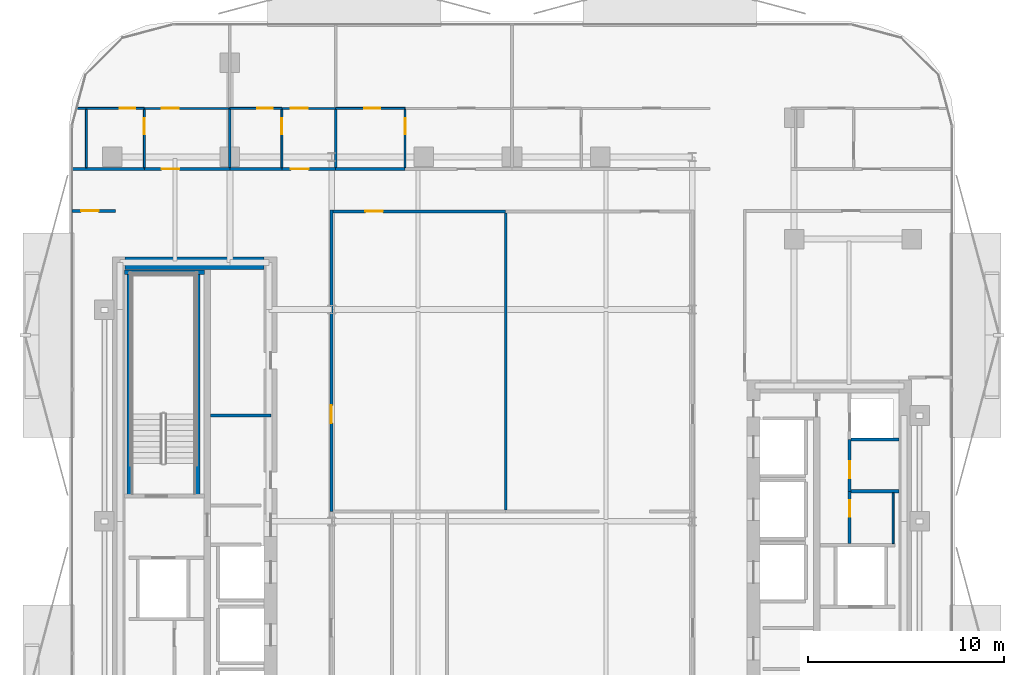
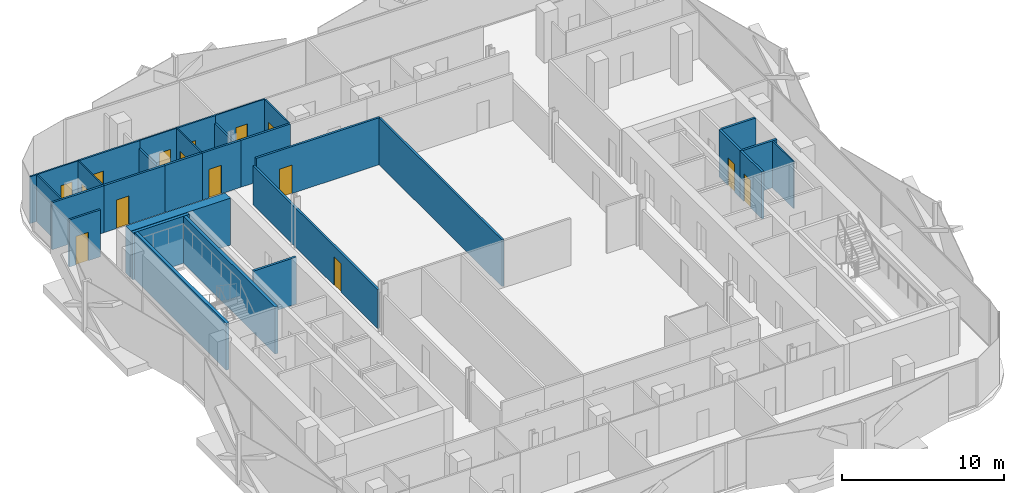
# One storey, part 6 of 17: 30 walls, 15 doors, 15 openings.
"""IFC4 building model written with IfcOpenShell, lengths in metres."""

import ifcopenshell
import ifcopenshell.guid

model = None  # the IFC model being written
_history = None  # IfcOwnerHistory: only IFC2X3 demands one
_inside = {}  # id of a spatial element -> (the spatial element, [elements in it])
_under = {}  # id of a project, library or spatial element -> (it, [spatial elements below it])
_declared = {}  # id of a project -> (the project, [libraries it declares])
_typed = {}  # id of a type object -> (the type object, [elements of that type])
_made_of = {}  # id of a material, layer set ... -> (it, [elements and type objects made of it])


def new_model(schema):
    """Start an empty IFC model of exactly this schema.

    Asked for "IFC4X3", IfcOpenShell would pick the latest addendum, in which some entities
    have other attributes; the version numbers below select the first issue.
    IFC2X3 requires an IfcOwnerHistory on every rooted entity: one is made here for all.
    """
    global model, _history
    if schema == "IFC4X3":
        model = ifcopenshell.file(schema_version=(4, 3, 0, 0))
    else:
        model = ifcopenshell.file(schema=schema)
    _inside.clear()
    _under.clear()
    _declared.clear()
    _typed.clear()
    _made_of.clear()
    _history = None
    if model.schema == "IFC2X3":
        org = make("IfcOrganization", Name="unknown")
        user = make(
            "IfcPersonAndOrganization",
            ThePerson=make("IfcPerson", FamilyName="unknown"),
            TheOrganization=org,
        )
        app = make(
            "IfcApplication",
            ApplicationDeveloper=org,
            Version="unknown",
            ApplicationFullName="unknown",
            ApplicationIdentifier="unknown",
        )
        _history = make(
            "IfcOwnerHistory",
            OwningUser=user,
            OwningApplication=app,
            ChangeAction="ADDED",
            CreationDate=0,
        )
    return model


def make(cls, **values):
    """One entity of the class cls with the attributes given. An attribute that is None is left unset."""
    return model.create_entity(
        cls, **{name: value for name, value in values.items() if value is not None}
    )


def rooted(cls, **values):
    """An entity with a GlobalId (a new one), such as an element, a storey or a relation."""
    return make(cls, GlobalId=ifcopenshell.guid.new(), OwnerHistory=_history, **values)


def si_unit(unit_type, name, prefix=None):
    """IfcSIUnit, for example si_unit("LENGTHUNIT", "METRE", prefix="MILLI")."""
    return make("IfcSIUnit", UnitType=unit_type, Prefix=prefix, Name=name)


def assignment(units):
    """IfcUnitAssignment: the units of a project."""
    return None if units is None else make("IfcUnitAssignment", Units=units)


def point(xyz):
    """IfcCartesianPoint."""
    return None if xyz is None else make("IfcCartesianPoint", Coordinates=xyz)


def direction(xyz):
    """IfcDirection."""
    return None if xyz is None else make("IfcDirection", DirectionRatios=xyz)


def frame(location, z_axis=None, x_axis=None):
    """IfcAxis2Placement3D, a coordinate frame: its origin and axes. An axis left out is left unset."""
    return make(
        "IfcAxis2Placement3D",
        Location=point(location),
        Axis=direction(z_axis),
        RefDirection=direction(x_axis),
    )


def frame_2d(location, x_axis=None):
    """IfcAxis2Placement2D, a coordinate frame in the plane: its origin and x axis."""
    return make(
        "IfcAxis2Placement2D", Location=point(location), RefDirection=direction(x_axis)
    )


def origin():
    """The frame at (0, 0, 0) with its axes left unset."""
    return frame((0.0, 0.0, 0.0))


def place(relative_to, where):
    """IfcLocalPlacement: puts the frame where relative to a parent placement (None: the world)."""
    return make(
        "IfcLocalPlacement", PlacementRelTo=relative_to, RelativePlacement=where
    )


def context(
    kind, dimensions, precision=None, world=None, true_north=None, identifier=None
):
    """IfcGeometricRepresentationContext, for example the 3D "Model" context."""
    return make(
        "IfcGeometricRepresentationContext",
        ContextIdentifier=identifier,
        ContextType=kind,
        CoordinateSpaceDimension=dimensions,
        Precision=precision,
        WorldCoordinateSystem=world,
        TrueNorth=true_north,
    )


def subcontext(parent, identifier, kind, view, scale=None):
    """IfcGeometricRepresentationSubContext, for example "Body" below "Model"."""
    return make(
        "IfcGeometricRepresentationSubContext",
        ContextIdentifier=identifier,
        ContextType=kind,
        ParentContext=parent,
        TargetScale=scale,
        TargetView=view,
    )


def project(units=None, contexts=None):
    """IfcProject with its units and contexts."""
    return rooted(
        "IfcProject",
        Name="project",
        RepresentationContexts=contexts,
        UnitsInContext=assignment(units),
    )


def spatial(cls, under=None, at=None, **own):
    """A site, building, storey or space (cls), placed at a placement, below another one or the project."""
    s = rooted(cls, ObjectPlacement=at, **own)
    if under is not None:
        _under.setdefault(under.id(), (under, []))[1].append(s)
    return s


def profile(cls, at=None, kind="AREA", **sizes):
    """A parametric profile (cls). Its sizes go by their IFC names, for example OverallWidth=200.0."""
    return make(cls, ProfileType=kind, Position=at, **sizes)


def rectangle(**sizes):
    """IfcRectangleProfileDef."""
    return profile("IfcRectangleProfileDef", **sizes)


def extrude(swept, where, along, depth):
    """IfcExtrudedAreaSolid: the profile swept, set in the frame where, extruded along a direction by depth."""
    return make(
        "IfcExtrudedAreaSolid",
        SweptArea=swept,
        Position=where,
        ExtrudedDirection=direction(along),
        Depth=depth,
    )


def shape(context_of_items, identifier, shape_type, items):
    """IfcShapeRepresentation: the items that make up one representation, for example the "Body"."""
    return make(
        "IfcShapeRepresentation",
        ContextOfItems=context_of_items,
        RepresentationIdentifier=identifier,
        RepresentationType=shape_type,
        Items=items,
    )


def material(Name=None, Category=None):
    """IfcMaterial."""
    return make("IfcMaterial", Name=Name, Category=Category)


def layer(
    of_material, thickness, ventilated=None, Name=None, Category=None, Priority=None
):
    """IfcMaterialLayer: one layer of a wall or slab, of a material (None: an air gap)."""
    return make(
        "IfcMaterialLayer",
        Material=of_material,
        LayerThickness=thickness,
        IsVentilated=ventilated,
        Name=Name,
        Category=Category,
        Priority=Priority,
    )


def layer_set(layers, Name=None):
    """IfcMaterialLayerSet."""
    return make("IfcMaterialLayerSet", MaterialLayers=layers, LayerSetName=Name)


def made_of(thing, what):
    """Note that an element or type object is made of a material, layer set ...; save() writes the relation."""
    if what is not None:
        _made_of.setdefault(what.id(), (what, []))[1].append(thing)
    return thing


def type_object(cls, material=None, **own):
    """A type object (cls), such as IfcWallType, which elements share."""
    return made_of(rooted(cls, **own), material)


def element(
    cls,
    number,
    at=None,
    inside=None,
    cuts=None,
    type_object=None,
    material=None,
    context=None,
    identifier="Body",
    shape_type=None,
    held_by="IfcProductDefinitionShape",
    body=None,
    shapes=None,
    **own,
):
    """One element of the class cls, such as IfcWall. Its Tag is "e" and its number.

    at: its placement. inside: the storey or other place that contains it. cuts: it is an
    opening in that element (IfcRelVoidsElement). A single representation is given by context,
    identifier, shape_type and body (its items); several are given by shapes. held_by: the class
    of the entity that holds the representations. save() writes the other relations.
    """
    e = rooted(cls, Tag="e%d" % number, ObjectPlacement=at, **own)
    if body is not None:
        shapes = [shape(context, identifier, shape_type, body)]
    if shapes is not None:
        e.Representation = make(held_by, Representations=shapes)
    if inside is not None:
        _inside.setdefault(inside.id(), (inside, []))[1].append(e)
    if cuts is not None:
        rooted(
            "IfcRelVoidsElement", RelatingBuildingElement=cuts, RelatedOpeningElement=e
        )
    if type_object is not None:
        _typed.setdefault(type_object.id(), (type_object, []))[1].append(e)
    return made_of(e, material)


def fill(opening, filler):
    """IfcRelFillsElement: the door or window that sits in an opening."""
    return rooted(
        "IfcRelFillsElement",
        RelatingOpeningElement=opening,
        RelatedBuildingElement=filler,
    )


def aggregate(whole, parts):
    """IfcRelAggregates: a whole, such as a stair, and the parts it consists of."""
    return rooted("IfcRelAggregates", RelatingObject=whole, RelatedObjects=parts)


def save(model, path):
    """Write the relations noted so far, then the file.

    IfcRelAggregates (storeys below a building ...), IfcRelContainedInSpatialStructure (elements
    in a storey), IfcRelDefinesByType, IfcRelAssociatesMaterial and IfcRelDeclares: one each for
    every whole, place, type object, material and project.
    """
    for whole, parts in _under.values():
        aggregate(whole, parts)
    for where, things in _inside.values():
        rooted(
            "IfcRelContainedInSpatialStructure",
            RelatedElements=things,
            RelatingStructure=where,
        )
    for kind, things in _typed.values():
        rooted("IfcRelDefinesByType", RelatedObjects=things, RelatingType=kind)
    for what, things in _made_of.values():
        rooted("IfcRelAssociatesMaterial", RelatedObjects=things, RelatingMaterial=what)
    for by, libraries in _declared.values():
        rooted("IfcRelDeclares", RelatingContext=by, RelatedDefinitions=libraries)
    model.write(path)


model = new_model("IFC4")

# Units and contexts
model_context = context("Model", 3, precision=1e-05, world=origin(), true_north=direction((0.0, 1.0)))
body_context = subcontext(model_context, "Body", "Model", "MODEL_VIEW")
ifc_project = project(units=[si_unit("LENGTHUNIT", "METRE"), si_unit("AREAUNIT", "SQUARE_METRE"), si_unit("VOLUMEUNIT", "CUBIC_METRE"), si_unit("PLANEANGLEUNIT", "RADIAN"), si_unit("MASSUNIT", "GRAM", prefix="KILO")], contexts=[model_context])

# Site, building, storey
site_placement = place(None, origin())
site = spatial("IfcSite", under=ifc_project, at=site_placement, CompositionType="ELEMENT")
building_placement = place(site_placement, origin())
building = spatial("IfcBuilding", under=site, at=building_placement, Name="Khairoan Windgate Tower", CompositionType="ELEMENT")
storey_placement = place(building_placement, frame((0.0, 0.0, 176.39990234375)))
storey = spatial("IfcBuildingStorey", under=building, at=storey_placement, Name="L40", CompositionType="ELEMENT", Elevation=176.39990234375)

# Wall, opening, door
ifc_material_1 = material(Name="Moisture-Resistant Gypsum Partition", Category="gypsum")
ifc_layer_1 = layer(ifc_material_1, 0.10009765625, Name="Moisture-Resistant Gypsum Partition")
ifc_layer_set_1 = layer_set([ifc_layer_1], Name="Moisture-Resistant Gypsum Partition")
wall_type_1 = type_object("IfcWallType", Name="Bathroom Wet-Area Partition Wall", PredefinedType="PARTITIONING", material=ifc_layer_set_1)
wall_1_placement = place(storey_placement, frame((-18.763916015625, 18.054931640625, 0.0), z_axis=(0.0, 0.0, 1.0), x_axis=(0.0, 1.0, 0.0)))
wall_1 = element("IfcWall", 1, at=wall_1_placement, inside=storey, type_object=wall_type_1, Name="L40 Interior Partition 054", PredefinedType="PARTITIONING", context=body_context, shape_type="SweptSolid", body=[
    extrude(rectangle(XDim=2.965087890625, YDim=0.10009765625, at=frame_2d((1.482421875, 0.0))), origin(), (0.0, 0.0, 1.0), 3.5400390625),
])
opening_1_placement = place(wall_1_placement, frame((1.705078125, 0.0, 0.0)))
opening_1 = element("IfcOpeningElement", 2, at=opening_1_placement, cuts=wall_1, Name="Opening ID-BTH", PredefinedType="OPENING", context=body_context, shape_type="SweptSolid", body=[
    extrude(rectangle(XDim=0.800048828125, YDim=2.10009765625, at=frame_2d((0.39990234375, 1.050048828125))), frame((0.0, 0.06005859375, 0.0), z_axis=(0.0, -1.0, 0.0), x_axis=(1.0, 0.0, 0.0)), (0.0, 0.0, 1.0), 0.1201171875),
])
ifc_material_2 = material(Name="Teak Veneer Timber Leaf", Category="wood")
door_type_1 = type_object("IfcDoorType", Name="Internal Bathroom Door ID-BTH 800x2100", OperationType="NOTDEFINED", PredefinedType="DOOR", material=ifc_material_2)
door_1_placement = place(opening_1_placement, origin())
door_1 = element("IfcDoor", 3, at=door_1_placement, inside=storey, type_object=door_type_1, Name="L40 L40-39-L40-40 Door", OperationType="SINGLE_SWING_LEFT", OverallHeight=2.10009765625, OverallWidth=0.800048828125, PredefinedType="DOOR", context=body_context, shape_type="SweptSolid", body=[
    extrude(rectangle(XDim=0.800048828125, YDim=2.10009765625, at=frame_2d((0.39990234375, 1.050048828125))), frame((0.0, 0.02490234375, 0.0), z_axis=(0.0, -1.0, 0.0), x_axis=(1.0, 0.0, 0.0)), (0.0, 0.0, 1.0), 0.050048828125),
])
fill(opening_1, door_1)

wall_2_placement = place(storey_placement, frame((-22.2197265625, 21.070068359375, 0.0), z_axis=(0.0, 0.0, 1.0), x_axis=(1.0, 0.0, 0.0)))
wall_2 = element("IfcWall", 4, at=wall_2_placement, inside=storey, type_object=wall_type_1, Name="L40 Interior Partition 055", PredefinedType="PARTITIONING", context=body_context, shape_type="SweptSolid", body=[
    extrude(rectangle(XDim=3.455810546875, YDim=0.10009765625, at=frame_2d((1.72802734375, 0.0))), origin(), (0.0, 0.0, 1.0), 3.5400390625),
])
opening_2_placement = place(wall_2_placement, frame((2.19580078125, 0.0, 0.0)))
opening_2 = element("IfcOpeningElement", 5, at=opening_2_placement, cuts=wall_2, Name="Opening ID-BTH", PredefinedType="OPENING", context=body_context, shape_type="SweptSolid", body=[
    extrude(rectangle(XDim=0.800048828125, YDim=2.10009765625, at=frame_2d((0.39990234375, 1.050048828125))), frame((0.0, 0.06005859375, 0.0), z_axis=(0.0, -1.0, 0.0), x_axis=(1.0, 0.0, 0.0)), (0.0, 0.0, 1.0), 0.1201171875),
])
door_2_placement = place(opening_2_placement, origin())
door_2 = element("IfcDoor", 6, at=door_2_placement, inside=storey, type_object=door_type_1, Name="L40 L40-39-L40-41 Door", OperationType="SINGLE_SWING_RIGHT", OverallHeight=2.10009765625, OverallWidth=0.800048828125, PredefinedType="DOOR", context=body_context, shape_type="SweptSolid", body=[
    extrude(rectangle(XDim=0.800048828125, YDim=2.10009765625, at=frame_2d((0.39990234375, 1.050048828125))), frame((0.0, 0.02490234375, 0.0), z_axis=(0.0, -1.0, 0.0), x_axis=(1.0, 0.0, 0.0)), (0.0, 0.0, 1.0), 0.050048828125),
])
fill(opening_2, door_2)

wall_3_placement = place(storey_placement, frame((-11.7451171875, 18.054931640625, 0.0), z_axis=(0.0, 0.0, 1.0), x_axis=(0.0, 1.0, 0.0)))
wall_3 = element("IfcWall", 7, at=wall_3_placement, inside=storey, type_object=wall_type_1, Name="L40 Interior Partition 059", PredefinedType="PARTITIONING", context=body_context, shape_type="SweptSolid", body=[
    extrude(rectangle(XDim=2.965087890625, YDim=0.10009765625, at=frame_2d((1.482421875, 0.0))), origin(), (0.0, 0.0, 1.0), 3.5400390625),
])
opening_3_placement = place(wall_3_placement, frame((1.705078125, 0.0, 0.0)))
opening_3 = element("IfcOpeningElement", 8, at=opening_3_placement, cuts=wall_3, Name="Opening ID-BTH", PredefinedType="OPENING", context=body_context, shape_type="SweptSolid", body=[
    extrude(rectangle(XDim=0.800048828125, YDim=2.10009765625, at=frame_2d((0.39990234375, 1.050048828125))), frame((0.0, 0.06005859375, 0.0), z_axis=(0.0, -1.0, 0.0), x_axis=(1.0, 0.0, 0.0)), (0.0, 0.0, 1.0), 0.1201171875),
])
door_3_placement = place(opening_3_placement, origin())
door_3 = element("IfcDoor", 9, at=door_3_placement, inside=storey, type_object=door_type_1, Name="L40 L40-42-L40-43 Door", OperationType="SINGLE_SWING_RIGHT", OverallHeight=2.10009765625, OverallWidth=0.800048828125, PredefinedType="DOOR", context=body_context, shape_type="SweptSolid", body=[
    extrude(rectangle(XDim=0.800048828125, YDim=2.10009765625, at=frame_2d((0.39990234375, 1.050048828125))), frame((0.0, 0.02490234375, 0.0), z_axis=(0.0, -1.0, 0.0), x_axis=(1.0, 0.0, 0.0)), (0.0, 0.0, 1.0), 0.050048828125),
])
fill(opening_3, door_3)

wall_4_placement = place(storey_placement, frame((-14.39990234375, 21.070068359375, 0.0), z_axis=(0.0, 0.0, 1.0), x_axis=(1.0, 0.0, 0.0)))
wall_4 = element("IfcWall", 10, at=wall_4_placement, inside=storey, type_object=wall_type_1, Name="L40 Interior Partition 060", PredefinedType="PARTITIONING", context=body_context, shape_type="SweptSolid", body=[
    extrude(rectangle(XDim=2.65478515625, YDim=0.10009765625, at=frame_2d((1.327392578125, 0.0))), origin(), (0.0, 0.0, 1.0), 3.5400390625),
])
opening_4_placement = place(wall_4_placement, frame((1.39501953125, 0.0, 0.0)))
opening_4 = element("IfcOpeningElement", 11, at=opening_4_placement, cuts=wall_4, Name="Opening ID-BTH", PredefinedType="OPENING", context=body_context, shape_type="SweptSolid", body=[
    extrude(rectangle(XDim=0.800048828125, YDim=2.10009765625, at=frame_2d((0.39990234375, 1.050048828125))), frame((0.0, 0.06005859375, 0.0), z_axis=(0.0, -1.0, 0.0), x_axis=(1.0, 0.0, 0.0)), (0.0, 0.0, 1.0), 0.1201171875),
])
door_4_placement = place(opening_4_placement, origin())
door_4 = element("IfcDoor", 12, at=door_4_placement, inside=storey, type_object=door_type_1, Name="L40 L40-42-L40-44 Door", OperationType="SINGLE_SWING_LEFT", OverallHeight=2.10009765625, OverallWidth=0.800048828125, PredefinedType="DOOR", context=body_context, shape_type="SweptSolid", body=[
    extrude(rectangle(XDim=0.800048828125, YDim=2.10009765625, at=frame_2d((0.39990234375, 1.050048828125))), frame((0.0, 0.02490234375, 0.0), z_axis=(0.0, -1.0, 0.0), x_axis=(1.0, 0.0, 0.0)), (0.0, 0.0, 1.0), 0.050048828125),
])
fill(opening_4, door_4)

wall_5_placement = place(storey_placement, frame((-5.4599609375, 18.054931640625, 0.0), z_axis=(0.0, 0.0, 1.0), x_axis=(0.0, 1.0, 0.0)))
wall_5 = element("IfcWall", 13, at=wall_5_placement, inside=storey, type_object=wall_type_1, Name="L40 Interior Partition 064", PredefinedType="PARTITIONING", context=body_context, shape_type="SweptSolid", body=[
    extrude(rectangle(XDim=2.965087890625, YDim=0.10009765625, at=frame_2d((1.482421875, 0.0))), origin(), (0.0, 0.0, 1.0), 3.5400390625),
])
opening_5_placement = place(wall_5_placement, frame((1.705078125, 0.0, 0.0)))
opening_5 = element("IfcOpeningElement", 14, at=opening_5_placement, cuts=wall_5, Name="Opening ID-BTH", PredefinedType="OPENING", context=body_context, shape_type="SweptSolid", body=[
    extrude(rectangle(XDim=0.800048828125, YDim=2.10009765625, at=frame_2d((0.39990234375, 1.050048828125))), frame((0.0, 0.06005859375, 0.0), z_axis=(0.0, -1.0, 0.0), x_axis=(1.0, 0.0, 0.0)), (0.0, 0.0, 1.0), 0.1201171875),
])
door_5_placement = place(opening_5_placement, origin())
door_5 = element("IfcDoor", 15, at=door_5_placement, inside=storey, type_object=door_type_1, Name="L40 L40-45-L40-46 Door", OperationType="SINGLE_SWING_LEFT", OverallHeight=2.10009765625, OverallWidth=0.800048828125, PredefinedType="DOOR", context=body_context, shape_type="SweptSolid", body=[
    extrude(rectangle(XDim=0.800048828125, YDim=2.10009765625, at=frame_2d((0.39990234375, 1.050048828125))), frame((0.0, 0.02490234375, 0.0), z_axis=(0.0, -1.0, 0.0), x_axis=(1.0, 0.0, 0.0)), (0.0, 0.0, 1.0), 0.050048828125),
])
fill(opening_5, door_5)

wall_6_placement = place(storey_placement, frame((-9.0, 21.070068359375, 0.0), z_axis=(0.0, 0.0, 1.0), x_axis=(1.0, 0.0, 0.0)))
wall_6 = element("IfcWall", 16, at=wall_6_placement, inside=storey, type_object=wall_type_1, Name="L40 Interior Partition 065", PredefinedType="PARTITIONING", context=body_context, shape_type="SweptSolid", body=[
    extrude(rectangle(XDim=3.5400390625, YDim=0.10009765625, at=frame_2d((1.77001953125, 0.0))), origin(), (0.0, 0.0, 1.0), 3.5400390625),
])
opening_6_placement = place(wall_6_placement, frame((1.47119140625, 0.0, 0.0)))
opening_6 = element("IfcOpeningElement", 17, at=opening_6_placement, cuts=wall_6, Name="Opening ID-BTH", PredefinedType="OPENING", context=body_context, shape_type="SweptSolid", body=[
    extrude(rectangle(XDim=0.800048828125, YDim=2.10009765625, at=frame_2d((0.39990234375, 1.050048828125))), frame((0.0, 0.06005859375, 0.0), z_axis=(0.0, -1.0, 0.0), x_axis=(1.0, 0.0, 0.0)), (0.0, 0.0, 1.0), 0.1201171875),
])
door_6_placement = place(opening_6_placement, origin())
door_6 = element("IfcDoor", 18, at=door_6_placement, inside=storey, type_object=door_type_1, Name="L40 L40-45-L40-47 Door", OperationType="SINGLE_SWING_RIGHT", OverallHeight=2.10009765625, OverallWidth=0.800048828125, PredefinedType="DOOR", context=body_context, shape_type="SweptSolid", body=[
    extrude(rectangle(XDim=0.800048828125, YDim=2.10009765625, at=frame_2d((0.39990234375, 1.050048828125))), frame((0.0, 0.02490234375, 0.0), z_axis=(0.0, -1.0, 0.0), x_axis=(1.0, 0.0, 0.0)), (0.0, 0.0, 1.0), 0.050048828125),
])
fill(opening_6, door_6)

# Walls
wall_7_placement = place(storey_placement, frame((19.449951171875, 1.449951171875, 0.0), z_axis=(0.0, 0.0, 1.0), x_axis=(0.0, -1.0, 0.0)))
element("IfcWall", 19, at=wall_7_placement, inside=storey, type_object=wall_type_1, Name="L40 Wet Room Side Wall 094", PredefinedType="PARTITIONING", context=body_context, shape_type="SweptSolid", body=[
    extrude(rectangle(XDim=2.58984375, YDim=0.10009765625, at=frame_2d((1.294921875, 0.0))), origin(), (0.0, 0.0, 1.0), 3.5400390625),
])
wall_8_placement = place(storey_placement, frame((-21.719970703125, 18.054931640625, 0.0), z_axis=(0.0, 0.0, 1.0), x_axis=(0.0, 1.0, 0.0)))
element("IfcWall", 20, at=wall_8_placement, inside=storey, type_object=wall_type_1, Name="L40 Wet Room Side Wall 096", PredefinedType="PARTITIONING", context=body_context, shape_type="SweptSolid", body=[
    extrude(rectangle(XDim=2.965087890625, YDim=0.10009765625, at=frame_2d((1.482421875, 0.0))), origin(), (0.0, 0.0, 1.0), 3.5400390625),
])
ifc_material_3 = material(Name="Acoustic Fire-Rated Gypsum Partition", Category="gypsum")
ifc_layer_2 = layer(ifc_material_3, 0.139892578125, Name="Acoustic Fire-Rated Gypsum Partition")
ifc_layer_set_2 = layer_set([ifc_layer_2], Name="Acoustic Fire-Rated Gypsum Partition")
wall_type_2 = type_object("IfcWallType", Name="Inter-Tenancy Compartment Wall", PredefinedType="PARTITIONING", material=ifc_layer_set_2)
wall_9_placement = place(storey_placement, frame((-0.320068359375, 0.570068359375, 0.0), z_axis=(0.0, 0.0, 1.0), x_axis=(0.0, 1.0, 0.0)))
element("IfcWall", 21, at=wall_9_placement, inside=storey, type_object=wall_type_2, Name="L40 Interior Partition 053", PredefinedType="PARTITIONING", context=body_context, shape_type="SweptSolid", body=[
    extrude(rectangle(XDim=15.175048828125, YDim=0.139892578125, at=frame_2d((7.58740234375, 0.0))), origin(), (0.0, 0.0, 1.0), 3.5400390625),
])
for number, where, z_axis, x_axis, name in (
    (22, (-14.39990234375, 18.054931640625, 0.0), (0.0, 0.0, 1.0), (0.0, 1.0, 0.0), "L40 Interior Partition 057"),
    (23, (-9.0, 18.054931640625, 0.0), (0.0, 0.0, 1.0), (0.0, 1.0, 0.0), "L40 Interior Partition 062"),
):
    element("IfcWall", number, at=place(storey_placement, frame(where, z_axis=z_axis, x_axis=x_axis)), inside=storey, type_object=wall_type_2, Name=name, PredefinedType="PARTITIONING", context=body_context, shape_type="SweptSolid", body=[
        extrude(rectangle(XDim=3.01513671875, YDim=0.139892578125, at=frame_2d((1.507568359375, 0.0))), origin(), (0.0, 0.0, 1.0), 2.9521484375),
    ])

# Wall, opening, door
ifc_material_4 = material(Name="Gypsum Stud Partition", Category="gypsum")
ifc_layer_3 = layer(ifc_material_4, 0.1201171875, Name="Gypsum Stud Partition")
ifc_layer_set_3 = layer_set([ifc_layer_3], Name="Gypsum Stud Partition")
wall_type_3 = type_object("IfcWallType", Name="Internal Room Partition Wall", PredefinedType="PARTITIONING", material=ifc_layer_set_3)
wall_10_placement = place(storey_placement, frame((-18.763916015625, 21.070068359375, 0.0), z_axis=(0.0, 0.0, 1.0), x_axis=(1.0, 0.0, 0.0)))
wall_10 = element("IfcWall", 24, at=wall_10_placement, inside=storey, type_object=wall_type_3, Name="L40 Interior Partition 056", PredefinedType="PARTITIONING", context=body_context, shape_type="SweptSolid", body=[
    extrude(rectangle(XDim=4.364013671875, YDim=0.1201171875, at=frame_2d((2.18212890625, 0.0))), origin(), (0.0, 0.0, 1.0), 3.5400390625),
])
opening_7_placement = place(wall_10_placement, frame((0.890625, 0.0, 0.0)))
opening_7 = element("IfcOpeningElement", 25, at=opening_7_placement, cuts=wall_10, Name="Opening ID-RM", PredefinedType="OPENING", context=body_context, shape_type="SweptSolid", body=[
    extrude(rectangle(XDim=0.860107421875, YDim=2.14990234375, at=frame_2d((0.43017578125, 1.074951171875))), frame((0.0, 0.070068359375, 0.0), z_axis=(0.0, -1.0, 0.0), x_axis=(1.0, 0.0, 0.0)), (0.0, 0.0, 1.0), 0.14013671875),
])
ifc_material_5 = material(Name="Teak Veneer Timber Leaf", Category="wood")
door_type_2 = type_object("IfcDoorType", Name="Internal Bedroom and Office Door ID-RM 860x2150", OperationType="NOTDEFINED", PredefinedType="DOOR", material=ifc_material_5)
door_7_placement = place(opening_7_placement, origin())
door_7 = element("IfcDoor", 26, at=door_7_placement, inside=storey, type_object=door_type_2, Name="L40 L40-40-L40-41 Door", OperationType="SINGLE_SWING_LEFT", OverallHeight=2.14990234375, OverallWidth=0.860107421875, PredefinedType="DOOR", context=body_context, shape_type="SweptSolid", body=[
    extrude(rectangle(XDim=0.860107421875, YDim=2.14990234375, at=frame_2d((0.43017578125, 1.074951171875))), frame((0.0, 0.02490234375, 0.0), z_axis=(0.0, -1.0, 0.0), x_axis=(1.0, 0.0, 0.0)), (0.0, 0.0, 1.0), 0.050048828125),
])
fill(opening_7, door_7)

wall_11_placement = place(storey_placement, frame((-11.7451171875, 21.070068359375, 0.0), z_axis=(0.0, 0.0, 1.0), x_axis=(1.0, 0.0, 0.0)))
wall_11 = element("IfcWall", 27, at=wall_11_placement, inside=storey, type_object=wall_type_3, Name="L40 Interior Partition 061", PredefinedType="PARTITIONING", context=body_context, shape_type="SweptSolid", body=[
    extrude(rectangle(XDim=2.7451171875, YDim=0.1201171875, at=frame_2d((1.37255859375, 0.0))), origin(), (0.0, 0.0, 1.0), 3.5400390625),
])
opening_8_placement = place(wall_11_placement, frame((0.4599609375, 0.0, 0.0)))
opening_8 = element("IfcOpeningElement", 28, at=opening_8_placement, cuts=wall_11, Name="Opening ID-RM", PredefinedType="OPENING", context=body_context, shape_type="SweptSolid", body=[
    extrude(rectangle(XDim=0.860107421875, YDim=2.14990234375, at=frame_2d((0.43017578125, 1.074951171875))), frame((0.0, 0.070068359375, 0.0), z_axis=(0.0, -1.0, 0.0), x_axis=(1.0, 0.0, 0.0)), (0.0, 0.0, 1.0), 0.14013671875),
])
door_8_placement = place(opening_8_placement, origin())
door_8 = element("IfcDoor", 29, at=door_8_placement, inside=storey, type_object=door_type_2, Name="L40 L40-43-L40-44 Door", OperationType="SINGLE_SWING_RIGHT", OverallHeight=2.14990234375, OverallWidth=0.860107421875, PredefinedType="DOOR", context=body_context, shape_type="SweptSolid", body=[
    extrude(rectangle(XDim=0.860107421875, YDim=2.14990234375, at=frame_2d((0.43017578125, 1.074951171875))), frame((0.0, 0.02490234375, 0.0), z_axis=(0.0, -1.0, 0.0), x_axis=(1.0, 0.0, 0.0)), (0.0, 0.0, 1.0), 0.050048828125),
])
fill(opening_8, door_8)

# Wall
ifc_material_6 = material(Name="Concrete C40/50", Category="concrete")
ifc_layer_4 = layer(ifc_material_6, 0.159912109375, Name="Concrete C40/50")
ifc_layer_set_4 = layer_set([ifc_layer_4], Name="Concrete C40/50")
wall_type_4 = type_object("IfcWallType", Name="Plant and Refuge Compartment Wall", PredefinedType="PARTITIONING", material=ifc_layer_set_4)
wall_12_placement = place(storey_placement, frame((-15.375, 5.39990234375, 0.0), z_axis=(0.0, 0.0, 1.0), x_axis=(1.0, 0.0, 0.0)))
element("IfcWall", 30, at=wall_12_placement, inside=storey, type_object=wall_type_4, Name="L40 Interior Partition 004", PredefinedType="PARTITIONING", context=body_context, shape_type="SweptSolid", body=[
    extrude(rectangle(XDim=3.06494140625, YDim=0.159912109375, at=frame_2d((1.532470703125, 0.0))), origin(), (0.0, 0.0, 1.0), 3.5400390625),
])

# Wall, opening, door
wall_13_placement = place(storey_placement, frame((17.22998046875, -1.139892578125, 0.0), z_axis=(0.0, 0.0, 1.0), x_axis=(0.0, 1.0, 0.0)))
wall_13 = element("IfcWall", 31, at=wall_13_placement, inside=storey, type_object=wall_type_4, Name="L40 Interior Partition 006", PredefinedType="PARTITIONING", context=body_context, shape_type="SweptSolid", body=[
    extrude(rectangle(XDim=2.669921875, YDim=0.159912109375, at=frame_2d((1.3349609375, 0.0))), origin(), (0.0, 0.0, 1.0), 3.5400390625),
])
opening_9_placement = place(wall_13_placement, frame((1.360107421875, 0.0, 0.0)))
opening_9 = element("IfcOpeningElement", 32, at=opening_9_placement, cuts=wall_13, Name="Opening FD-SRV", PredefinedType="OPENING", context=body_context, shape_type="SweptSolid", body=[
    extrude(rectangle(XDim=0.85009765625, YDim=2.10009765625, at=frame_2d((0.425048828125, 1.050048828125))), frame((0.0, 0.08984375, 0.0), z_axis=(0.0, -1.0, 0.0), x_axis=(1.0, 0.0, 0.0)), (0.0, 0.0, 1.0), 0.179931640625),
])
ifc_material_7 = material(Name="Steel S355", Category="steel")
door_type_3 = type_object("IfcDoorType", Name="Core Service and Riser Fire Door FD-SRV 850x2100", OperationType="NOTDEFINED", PredefinedType="DOOR", material=ifc_material_7)
door_9_placement = place(opening_9_placement, origin())
door_9 = element("IfcDoor", 33, at=door_9_placement, inside=storey, type_object=door_type_3, Name="L40 L40-17-L40-19 Door", OperationType="SINGLE_SWING_LEFT", OverallHeight=2.10009765625, OverallWidth=0.85009765625, PredefinedType="DOOR", context=body_context, shape_type="SweptSolid", body=[
    extrude(rectangle(XDim=0.85009765625, YDim=2.10009765625, at=frame_2d((0.425048828125, 1.050048828125))), frame((0.0, 0.02490234375, 0.0), z_axis=(0.0, -1.0, 0.0), x_axis=(1.0, 0.0, 0.0)), (0.0, 0.0, 1.0), 0.050048828125),
])
fill(opening_9, door_9)

wall_14_placement = place(storey_placement, frame((17.22998046875, 1.530029296875, 0.0), z_axis=(0.0, 0.0, 1.0), x_axis=(0.0, 1.0, 0.0)))
wall_14 = element("IfcWall", 34, at=wall_14_placement, inside=storey, type_object=wall_type_4, Name="L40 Interior Partition 007", PredefinedType="PARTITIONING", context=body_context, shape_type="SweptSolid", body=[
    extrude(rectangle(XDim=2.639892578125, YDim=0.159912109375, at=frame_2d((1.31982421875, 0.0))), origin(), (0.0, 0.0, 1.0), 3.5400390625),
])
opening_10_placement = place(wall_14_placement, frame((0.677490234375, 0.0, 0.0)))
opening_10 = element("IfcOpeningElement", 35, at=opening_10_placement, cuts=wall_14, Name="Opening FD-SRV", PredefinedType="OPENING", context=body_context, shape_type="SweptSolid", body=[
    extrude(rectangle(XDim=0.85009765625, YDim=2.10009765625, at=frame_2d((0.425048828125, 1.050048828125))), frame((0.0, 0.08984375, 0.0), z_axis=(0.0, -1.0, 0.0), x_axis=(1.0, 0.0, 0.0)), (0.0, 0.0, 1.0), 0.179931640625),
])
door_10_placement = place(opening_10_placement, origin())
door_10 = element("IfcDoor", 36, at=door_10_placement, inside=storey, type_object=door_type_3, Name="L40 L40-17-L40-20 Door", OperationType="SINGLE_SWING_RIGHT", OverallHeight=2.10009765625, OverallWidth=0.85009765625, PredefinedType="DOOR", context=body_context, shape_type="SweptSolid", body=[
    extrude(rectangle(XDim=0.85009765625, YDim=2.10009765625, at=frame_2d((0.425048828125, 1.050048828125))), frame((0.0, 0.02490234375, 0.0), z_axis=(0.0, -1.0, 0.0), x_axis=(1.0, 0.0, 0.0)), (0.0, 0.0, 1.0), 0.050048828125),
])
fill(opening_10, door_10)

# Walls
for number, where, z_axis, x_axis, name in (
    (37, (17.31005859375, 4.169921875, 0.0), (0.0, 0.0, 1.0), (1.0, 0.0, 0.0), "L40 Interior Partition 008"),
    (38, (17.31005859375, 1.530029296875, 0.0), (0.0, 0.0, 1.0), (1.0, 0.0, 0.0), "L40 Interior Partition 009"),
):
    element("IfcWall", number, at=place(storey_placement, frame(where, z_axis=z_axis, x_axis=x_axis)), inside=storey, type_object=wall_type_4, Name=name, PredefinedType="PARTITIONING", context=body_context, shape_type="SweptSolid", body=[
        extrude(rectangle(XDim=2.43994140625, YDim=0.159912109375, at=frame_2d((1.219970703125, 0.0))), origin(), (0.0, 0.0, 1.0), 3.5400390625),
    ])

# Wall, opening, door
ifc_material_8 = material(Name="Acoustic Fire-Rated Gypsum Partition", Category="gypsum")
ifc_layer_5 = layer(ifc_material_8, 0.14990234375, Name="Acoustic Fire-Rated Gypsum Partition")
ifc_layer_set_5 = layer_set([ifc_layer_5], Name="Acoustic Fire-Rated Gypsum Partition")
wall_type_5 = type_object("IfcWallType", Name="Rated Corridor Partition Wall", PredefinedType="PARTITIONING", material=ifc_layer_set_5)
wall_15_placement = place(storey_placement, frame((-9.219970703125, 0.5, 0.0), z_axis=(0.0, 0.0, 1.0), x_axis=(0.0, 1.0, 0.0)))
wall_15 = element("IfcWall", 39, at=wall_15_placement, inside=storey, type_object=wall_type_5, Name="L40 Interior Partition 012", PredefinedType="PARTITIONING", context=body_context, shape_type="SweptSolid", body=[
    extrude(rectangle(XDim=15.39501953125, YDim=0.14990234375, at=frame_2d((7.697509765625, 0.0))), origin(), (0.0, 0.0, 1.0), 2.9521484375),
])
opening_11_placement = place(wall_15_placement, frame((4.51220703125, 0.0, 0.0)))
opening_11 = element("IfcOpeningElement", 40, at=opening_11_placement, cuts=wall_15, Name="Opening FD-ENT", PredefinedType="OPENING", context=body_context, shape_type="SweptSolid", body=[
    extrude(rectangle(XDim=0.89990234375, YDim=2.14990234375, at=frame_2d((0.449951171875, 1.074951171875))), frame((0.0, 0.0849609375, 0.0), z_axis=(0.0, -1.0, 0.0), x_axis=(1.0, 0.0, 0.0)), (0.0, 0.0, 1.0), 0.169921875),
])
ifc_material_9 = material(Name="Timber Fire-Rated Core", Category="wood")
door_type_4 = type_object("IfcDoorType", Name="Unit and Office Fire Entrance Door FD-ENT 900x2150", OperationType="NOTDEFINED", PredefinedType="DOOR", material=ifc_material_9)
door_11_placement = place(opening_11_placement, origin())
door_11 = element("IfcDoor", 41, at=door_11_placement, inside=storey, type_object=door_type_4, Name="L40 L40-28-L40-37 Door", OperationType="SINGLE_SWING_RIGHT", OverallHeight=2.14990234375, OverallWidth=0.89990234375, PredefinedType="DOOR", context=body_context, shape_type="SweptSolid", body=[
    extrude(rectangle(XDim=0.89990234375, YDim=2.14990234375, at=frame_2d((0.449951171875, 1.074951171875))), frame((0.0, 0.02490234375, 0.0), z_axis=(0.0, -1.0, 0.0), x_axis=(1.0, 0.0, 0.0)), (0.0, 0.0, 1.0), 0.050048828125),
])
fill(opening_11, door_11)

wall_16_placement = place(storey_placement, frame((-9.14501953125, 15.820068359375, 0.0), z_axis=(0.0, 0.0, 1.0), x_axis=(1.0, 0.0, 0.0)))
wall_16 = element("IfcWall", 42, at=wall_16_placement, inside=storey, type_object=wall_type_5, Name="L40 Interior Partition 016", PredefinedType="PARTITIONING", context=body_context, shape_type="SweptSolid", body=[
    extrude(rectangle(XDim=8.824951171875, YDim=0.14990234375, at=frame_2d((4.41259765625, 0.0))), origin(), (0.0, 0.0, 1.0), 3.5400390625),
])
opening_12_placement = place(wall_16_placement, frame((1.660888671875, 0.0, 0.0)))
opening_12 = element("IfcOpeningElement", 43, at=opening_12_placement, cuts=wall_16, Name="Opening FD-ENT", PredefinedType="OPENING", context=body_context, shape_type="SweptSolid", body=[
    extrude(rectangle(XDim=0.89990234375, YDim=2.14990234375, at=frame_2d((0.449951171875, 1.074951171875))), frame((0.0, 0.0849609375, 0.0), z_axis=(0.0, -1.0, 0.0), x_axis=(1.0, 0.0, 0.0)), (0.0, 0.0, 1.0), 0.169921875),
])
door_12_placement = place(opening_12_placement, origin())
door_12 = element("IfcDoor", 44, at=door_12_placement, inside=storey, type_object=door_type_4, Name="L40 L40-30-L40-37 Door", OperationType="SINGLE_SWING_RIGHT", OverallHeight=2.14990234375, OverallWidth=0.89990234375, PredefinedType="DOOR", context=body_context, shape_type="SweptSolid", body=[
    extrude(rectangle(XDim=0.89990234375, YDim=2.14990234375, at=frame_2d((0.449951171875, 1.074951171875))), frame((0.0, 0.02490234375, 0.0), z_axis=(0.0, -1.0, 0.0), x_axis=(1.0, 0.0, 0.0)), (0.0, 0.0, 1.0), 0.050048828125),
])
fill(opening_12, door_12)

# Wall
wall_17_placement = place(storey_placement, frame((-22.455078125, 17.97998046875, 0.0), z_axis=(0.0, 0.0, 1.0), x_axis=(1.0, 0.0, 0.0)))
element("IfcWall", 45, at=wall_17_placement, inside=storey, type_object=wall_type_5, Name="L40 Interior Partition 018", PredefinedType="PARTITIONING", context=body_context, shape_type="SweptSolid", body=[
    extrude(rectangle(XDim=3.691162109375, YDim=0.14990234375, at=frame_2d((1.845703125, 0.0))), origin(), (0.0, 0.0, 1.0), 3.5400390625),
])

# Wall, opening, door
wall_18_placement = place(storey_placement, frame((-18.763916015625, 17.97998046875, 0.0), z_axis=(0.0, 0.0, 1.0), x_axis=(1.0, 0.0, 0.0)))
wall_18 = element("IfcWall", 46, at=wall_18_placement, inside=storey, type_object=wall_type_5, Name="L40 Interior Partition 019", PredefinedType="PARTITIONING", context=body_context, shape_type="SweptSolid", body=[
    extrude(rectangle(XDim=4.364013671875, YDim=0.14990234375, at=frame_2d((2.18212890625, 0.0))), origin(), (0.0, 0.0, 1.0), 3.5400390625),
])
opening_13_placement = place(wall_18_placement, frame((0.884033203125, 0.0, 0.0)))
opening_13 = element("IfcOpeningElement", 47, at=opening_13_placement, cuts=wall_18, Name="Opening FD-ENT", PredefinedType="OPENING", context=body_context, shape_type="SweptSolid", body=[
    extrude(rectangle(XDim=0.89990234375, YDim=2.14990234375, at=frame_2d((0.449951171875, 1.074951171875))), frame((0.0, 0.0849609375, 0.0), z_axis=(0.0, -1.0, 0.0), x_axis=(1.0, 0.0, 0.0)), (0.0, 0.0, 1.0), 0.169921875),
])
door_13_placement = place(opening_13_placement, origin())
door_13 = element("IfcDoor", 48, at=door_13_placement, inside=storey, type_object=door_type_4, Name="L40 L40-30-L40-40 Door", OperationType="SINGLE_SWING_RIGHT", OverallHeight=2.14990234375, OverallWidth=0.89990234375, PredefinedType="DOOR", context=body_context, shape_type="SweptSolid", body=[
    extrude(rectangle(XDim=0.89990234375, YDim=2.14990234375, at=frame_2d((0.449951171875, 1.074951171875))), frame((0.0, 0.02490234375, 0.0), z_axis=(0.0, -1.0, 0.0), x_axis=(1.0, 0.0, 0.0)), (0.0, 0.0, 1.0), 0.050048828125),
])
fill(opening_13, door_13)

# Wall
wall_19_placement = place(storey_placement, frame((-14.39990234375, 17.97998046875, 0.0), z_axis=(0.0, 0.0, 1.0), x_axis=(1.0, 0.0, 0.0)))
element("IfcWall", 49, at=wall_19_placement, inside=storey, type_object=wall_type_5, Name="L40 Interior Partition 020", PredefinedType="PARTITIONING", context=body_context, shape_type="SweptSolid", body=[
    extrude(rectangle(XDim=2.65478515625, YDim=0.14990234375, at=frame_2d((1.327392578125, 0.0))), origin(), (0.0, 0.0, 1.0), 3.5400390625),
])

# Wall, opening, door
wall_20_placement = place(storey_placement, frame((-11.7451171875, 17.97998046875, 0.0), z_axis=(0.0, 0.0, 1.0), x_axis=(1.0, 0.0, 0.0)))
wall_20 = element("IfcWall", 50, at=wall_20_placement, inside=storey, type_object=wall_type_5, Name="L40 Interior Partition 021", PredefinedType="PARTITIONING", context=body_context, shape_type="SweptSolid", body=[
    extrude(rectangle(XDim=2.7451171875, YDim=0.14990234375, at=frame_2d((1.37255859375, 0.0))), origin(), (0.0, 0.0, 1.0), 3.5400390625),
])
opening_14_placement = place(wall_20_placement, frame((0.4599609375, 0.0, 0.0)))
opening_14 = element("IfcOpeningElement", 51, at=opening_14_placement, cuts=wall_20, Name="Opening FD-ENT", PredefinedType="OPENING", context=body_context, shape_type="SweptSolid", body=[
    extrude(rectangle(XDim=0.89990234375, YDim=2.14990234375, at=frame_2d((0.449951171875, 1.074951171875))), frame((0.0, 0.0849609375, 0.0), z_axis=(0.0, -1.0, 0.0), x_axis=(1.0, 0.0, 0.0)), (0.0, 0.0, 1.0), 0.169921875),
])
door_14_placement = place(opening_14_placement, origin())
door_14 = element("IfcDoor", 52, at=door_14_placement, inside=storey, type_object=door_type_4, Name="L40 L40-30-L40-43 Door", OperationType="SINGLE_SWING_LEFT", OverallHeight=2.14990234375, OverallWidth=0.89990234375, PredefinedType="DOOR", context=body_context, shape_type="SweptSolid", body=[
    extrude(rectangle(XDim=0.89990234375, YDim=2.14990234375, at=frame_2d((0.449951171875, 1.074951171875))), frame((0.0, 0.02490234375, 0.0), z_axis=(0.0, -1.0, 0.0), x_axis=(1.0, 0.0, 0.0)), (0.0, 0.0, 1.0), 0.050048828125),
])
fill(opening_14, door_14)

# Wall
wall_21_placement = place(storey_placement, frame((-9.0, 17.97998046875, 0.0), z_axis=(0.0, 0.0, 1.0), x_axis=(1.0, 0.0, 0.0)))
element("IfcWall", 53, at=wall_21_placement, inside=storey, type_object=wall_type_5, Name="L40 Interior Partition 022", PredefinedType="PARTITIONING", context=body_context, shape_type="SweptSolid", body=[
    extrude(rectangle(XDim=3.5400390625, YDim=0.14990234375, at=frame_2d((1.77001953125, 0.0))), origin(), (0.0, 0.0, 1.0), 3.5400390625),
])

# Wall, opening, door
wall_22_placement = place(storey_placement, frame((-22.455078125, 15.840087890625, 0.0), z_axis=(0.0, 0.0, 1.0), x_axis=(1.0, 0.0, 0.0)))
wall_22 = element("IfcWall", 54, at=wall_22_placement, inside=storey, type_object=wall_type_5, Name="L40 Interior Partition 029", PredefinedType="PARTITIONING", context=body_context, shape_type="SweptSolid", body=[
    extrude(rectangle(XDim=2.215087890625, YDim=0.14990234375, at=frame_2d((1.107421875, 0.0))), origin(), (0.0, 0.0, 1.0), 3.5400390625),
])
opening_15_placement = place(wall_22_placement, frame((0.4599609375, 0.0, 0.0)))
opening_15 = element("IfcOpeningElement", 55, at=opening_15_placement, cuts=wall_22, Name="Opening FD-ENT", PredefinedType="OPENING", context=body_context, shape_type="SweptSolid", body=[
    extrude(rectangle(XDim=0.89990234375, YDim=2.14990234375, at=frame_2d((0.449951171875, 1.074951171875))), frame((0.0, 0.0849609375, 0.0), z_axis=(0.0, -1.0, 0.0), x_axis=(1.0, 0.0, 0.0)), (0.0, 0.0, 1.0), 0.169921875),
])
door_15_placement = place(opening_15_placement, origin())
door_15 = element("IfcDoor", 56, at=door_15_placement, inside=storey, type_object=door_type_4, Name="L40 L40-30-L40-67 Door", OperationType="SINGLE_SWING_RIGHT", OverallHeight=2.14990234375, OverallWidth=0.89990234375, PredefinedType="DOOR", context=body_context, shape_type="SweptSolid", body=[
    extrude(rectangle(XDim=0.89990234375, YDim=2.14990234375, at=frame_2d((0.449951171875, 1.074951171875))), frame((0.0, 0.02490234375, 0.0), z_axis=(0.0, -1.0, 0.0), x_axis=(1.0, 0.0, 0.0)), (0.0, 0.0, 1.0), 0.050048828125),
])
fill(opening_15, door_15)

# Walls
ifc_material_10 = material(Name="Concrete C60/75", Category="concrete")
ifc_layer_6 = layer(ifc_material_10, 0.64990234375, Name="Concrete C60/75")
ifc_layer_set_6 = layer_set([ifc_layer_6], Name="Concrete C60/75")
wall_type_6 = type_object("IfcWallType", Name="Shear Wall CW-W2 650mm", PredefinedType="SHEAR", material=ifc_layer_set_6)
wall_23_placement = place(storey_placement, frame((-19.75, 13.175048828125, 0.0), z_axis=(0.0, 0.0, 1.0), x_axis=(1.0, 0.0, 0.0)))
element("IfcWall", 57, at=wall_23_placement, inside=storey, type_object=wall_type_6, Name="W Core North Shear Wall L40", PredefinedType="SHEAR", context=body_context, shape_type="SweptSolid", body=[
    extrude(rectangle(XDim=7.10009765625, YDim=0.64990234375, at=frame_2d((3.550048828125, 0.0))), origin(), (0.0, 0.0, 1.0), 3.5400390625),
])
ifc_material_11 = material(Name="Concrete C50/60", Category="concrete")
ifc_layer_7 = layer(ifc_material_11, 0.219970703125, Name="Concrete C50/60")
ifc_layer_set_7 = layer_set([ifc_layer_7], Name="Concrete C50/60")
wall_type_7 = type_object("IfcWallType", Name="Shear Wall SW-ST 220mm", PredefinedType="SHEAR", material=ifc_layer_set_7)
for number, where, z_axis, x_axis, name in (
    (58, (-16.0400390625, 1.2900390625, 0.0), (0.0, 0.0, 1.0), (0.0, 1.0, 0.0), "L40 Stair ST2 East Bearing Wall"),
    (59, (-19.530029296875, 1.2900390625, 0.0), (0.0, 0.0, 1.0), (0.0, 1.0, 0.0), "L40 Stair ST2 West Bearing Wall"),
):
    element("IfcWall", number, at=place(storey_placement, frame(where, z_axis=z_axis, x_axis=x_axis)), inside=storey, type_object=wall_type_7, Name=name, PredefinedType="SHEAR", context=body_context, shape_type="SweptSolid", body=[
        extrude(rectangle(XDim=11.419921875, YDim=0.219970703125, at=frame_2d((5.7099609375, 0.0))), origin(), (0.0, 0.0, 1.0), 3.5400390625),
    ])
wall_24_placement = place(storey_placement, frame((-19.77001953125, 12.7099609375, 0.0), z_axis=(0.0, 0.0, 1.0), x_axis=(1.0, 0.0, 0.0)))
element("IfcWall", 60, at=wall_24_placement, inside=storey, type_object=wall_type_7, Name="L40 Stair ST2 North Bearing Wall", PredefinedType="SHEAR", context=body_context, shape_type="SweptSolid", body=[
    extrude(rectangle(XDim=4.06494140625, YDim=0.219970703125, at=frame_2d((2.032470703125, 0.0))), origin(), (0.0, 0.0, 1.0), 3.5400390625),
])

save(model, "model.ifc")
